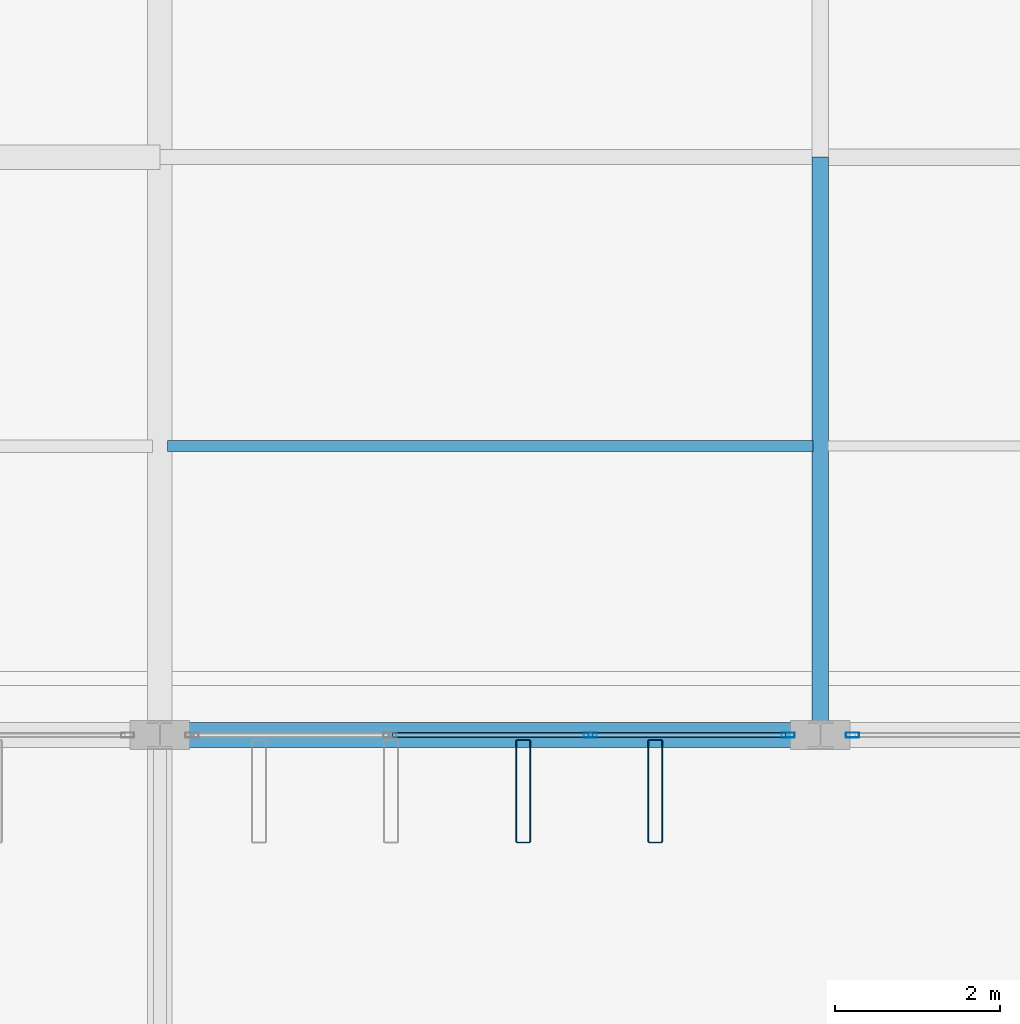
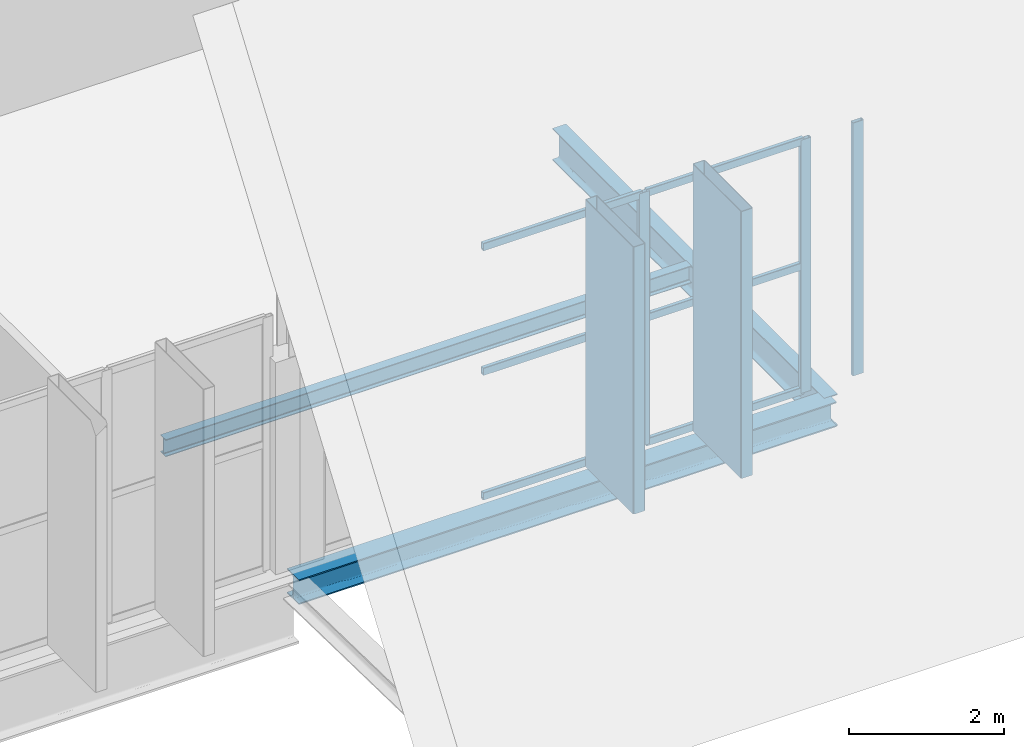
# One storey, part 30 of 93: 11 members, 3 beams, 2 elements without a shape of their own.
"""IFC4 building model written with IfcOpenShell, lengths in metres."""

from ifc_helpers import new_model, si_unit, direction, frame, origin, origin_2d, place, context, subcontext, project, spatial, hollow_rectangle, i_section, extrude, material, layer, layer_set, material_profile, profile_set, type_object, element, aggregate, save


model = new_model("IFC4")

# Units and contexts
model_context = context("Model", 3, precision=1e-05, world=origin(), true_north=direction((0.0, 1.0)))
body_context = subcontext(model_context, "Body", "Model", "MODEL_VIEW")
ifc_project = project(units=[si_unit("LENGTHUNIT", "METRE"), si_unit("AREAUNIT", "SQUARE_METRE"), si_unit("VOLUMEUNIT", "CUBIC_METRE"), si_unit("PLANEANGLEUNIT", "RADIAN"), si_unit("MASSUNIT", "GRAM", prefix="KILO")], contexts=[model_context])

# Site, building, storey
site_placement = place(None, origin())
site = spatial("IfcSite", under=ifc_project, at=site_placement, CompositionType="ELEMENT")
building_placement = place(site_placement, origin())
building = spatial("IfcBuilding", under=site, at=building_placement, Name="Vekula Escarpment Museum", CompositionType="ELEMENT")
storey_placement = place(building_placement, frame((0.0, 0.0, 22.199951171875)))
storey = spatial("IfcBuildingStorey", under=building, at=storey_placement, Name="L05", CompositionType="ELEMENT", Elevation=22.199951171875)

# Beams
ifc_material_1 = material(Name="Steel S355", Category="steel")
ifc_material_profile_1 = material_profile(ifc_material_1, i_section(OverallWidth=0.199951171875, OverallDepth=0.5, WebThickness=0.01025390625, FlangeThickness=0.01611328125, FilletRadius=0.02099609375, at=origin_2d()), Name="IPE 500")
ifc_profile_set_1 = profile_set([ifc_material_profile_1], Name="Steel S355")
beam_type_1 = type_object("IfcBeamType", Name="BM-GIRD-IPE500", PredefinedType="BEAM", material=ifc_profile_set_1)
beam_1_placement = place(storey_placement, frame((94.0, 45.60009765625, -0.469970703125), z_axis=(0.0, 1.0, 0.0), x_axis=(-1.0, 0.0, 0.0)))
element("IfcBeam", 1, at=beam_1_placement, inside=storey, type_object=beam_type_1, Name="Beam Y L05 2134", PredefinedType="BEAM", context=body_context, shape_type="SweptSolid", body=[
    extrude(i_section(OverallWidth=0.199951171875, OverallDepth=0.5, WebThickness=0.01025390625, FlangeThickness=0.01611328125, FilletRadius=0.02099609375, at=origin_2d()), origin(), (0.0, 0.0, 1.0), 7.0),
])
ifc_material_2 = material(Name="Steel S355", Category="steel")
ifc_material_profile_2 = material_profile(ifc_material_2, i_section(OverallWidth=0.135009765625, OverallDepth=0.27001953125, WebThickness=0.006591796875, FlangeThickness=0.01025390625, FilletRadius=0.014892578125, at=origin_2d()), Name="IPE 270")
ifc_profile_set_2 = profile_set([ifc_material_profile_2], Name="Steel S355")
beam_type_2 = type_object("IfcBeamType", Name="BM-JST-IPE270", PredefinedType="JOIST", material=ifc_profile_set_2)
beam_2_placement = place(storey_placement, frame((86.090087890625, 49.10009765625, -0.35498046875), z_axis=(1.0, 0.0, 0.0), x_axis=(0.0, 1.0, 0.0)))
element("IfcBeam", 2, at=beam_2_placement, inside=storey, type_object=beam_type_2, Name="Secondary Joist L05 1355", PredefinedType="JOIST", context=body_context, shape_type="SweptSolid", body=[
    extrude(i_section(OverallWidth=0.135009765625, OverallDepth=0.27001953125, WebThickness=0.006591796875, FlangeThickness=0.01025390625, FilletRadius=0.014892578125, at=origin_2d()), origin(), (0.0, 0.0, 1.0), 7.81982421875),
])
ifc_material_3 = material(Name="Steel S355", Category="steel")
ifc_material_profile_3 = material_profile(ifc_material_3, i_section(OverallWidth=0.300048828125, OverallDepth=0.389892578125, WebThickness=0.010986328125, FlangeThickness=0.01904296875, FilletRadius=0.027099609375, at=origin_2d()), Name="HEA 400")
ifc_profile_set_3 = profile_set([ifc_material_profile_3], Name="Steel S355")
beam_type_3 = type_object("IfcBeamType", Name="BM-SPAN-HEA400", PredefinedType="SPANDREL", material=ifc_profile_set_3)
beam_3_placement = place(storey_placement, frame((86.0, 45.60009765625, -0.4150390625), z_axis=(1.0, 0.0, 0.0), x_axis=(0.0, 1.0, 0.0)))
element("IfcBeam", 3, at=beam_3_placement, inside=storey, type_object=beam_type_3, Name="Beam X L05 1958", PredefinedType="SPANDREL", context=body_context, shape_type="SweptSolid", body=[
    extrude(i_section(OverallWidth=0.300048828125, OverallDepth=0.389892578125, WebThickness=0.010986328125, FlangeThickness=0.01904296875, FilletRadius=0.027099609375, at=origin_2d()), origin(), (0.0, 0.0, 1.0), 8.0),
])

# Curtain wall, members
ifc_material_4 = material(Name="Aluminium thermally broken framing", Category="aluminium")
ifc_layer_1 = layer(ifc_material_4, 0.159912109375)
ifc_layer_set_1 = layer_set([ifc_layer_1], Name="Aluminium thermally broken framing")
curtain_wall_type_1 = type_object("IfcCurtainWallType", Name="CW-SYS-05", PredefinedType="NOTDEFINED", material=ifc_layer_set_1)
curtain_wall_1_placement = place(storey_placement, origin())
curtain_wall_1 = element("IfcCurtainWall", 4, at=curtain_wall_1_placement, inside=storey, type_object=curtain_wall_type_1, Name="Curtain Wall CW-L05-165", PredefinedType="NOTDEFINED")
ifc_material_5 = material(Name="Aluminium anodized mullion", Category="aluminium")
ifc_material_profile_4 = material_profile(ifc_material_5, hollow_rectangle(XDim=0.06005859375, YDim=0.159912109375, WallThickness=0.00390625, InnerFilletRadius=0.00390625, OuterFilletRadius=0.008056640625, at=origin_2d()), Name="ALU 160x60x4")
ifc_profile_set_4 = profile_set([ifc_material_profile_4], Name="Aluminium anodized mullion")
member_type_1 = type_object("IfcMemberType", Name="CW-MUL-160", PredefinedType="MULLION", material=ifc_profile_set_4)
member_1_placement = place(storey_placement, frame((91.21337890625, 45.60009765625, 0.0), z_axis=(0.0, 0.0, 1.0), x_axis=(0.0, 1.0, 0.0)))
member_1 = element("IfcMember", 5, at=member_1_placement, type_object=member_type_1, Name="CW-05 mullion 3", PredefinedType="MULLION", context=body_context, shape_type="SweptSolid", body=[
    extrude(hollow_rectangle(XDim=0.06005859375, YDim=0.159912109375, WallThickness=0.00390625, InnerFilletRadius=0.00390625, OuterFilletRadius=0.008056640625, at=origin_2d()), origin(), (0.0, 0.0, 1.0), 3.97998046875),
])
member_2_placement = place(storey_placement, frame((93.610107421875, 45.60009765625, 0.0), z_axis=(0.0, 0.0, 1.0), x_axis=(0.0, 1.0, 0.0)))
member_2 = element("IfcMember", 6, at=member_2_placement, type_object=member_type_1, Name="CW-05 mullion 4", PredefinedType="MULLION", context=body_context, shape_type="SweptSolid", body=[
    extrude(hollow_rectangle(XDim=0.06005859375, YDim=0.159912109375, WallThickness=0.00390625, InnerFilletRadius=0.00390625, OuterFilletRadius=0.008056640625, at=origin_2d()), origin(), (0.0, 0.0, 1.0), 3.97998046875),
])

# Curtain wall, member
ifc_material_6 = material(Name="Aluminium thermally broken framing", Category="aluminium")
ifc_layer_2 = layer(ifc_material_6, 0.139892578125)
ifc_layer_set_2 = layer_set([ifc_layer_2], Name="Aluminium thermally broken framing")
curtain_wall_type_2 = type_object("IfcCurtainWallType", Name="CW-SYS-06", PredefinedType="NOTDEFINED", material=ifc_layer_set_2)
curtain_wall_2_placement = place(storey_placement, origin())
curtain_wall_2 = element("IfcCurtainWall", 7, at=curtain_wall_2_placement, inside=storey, type_object=curtain_wall_type_2, Name="Curtain Wall CW-L05-166", PredefinedType="NOTDEFINED")
member_3_placement = place(storey_placement, frame((94.389892578125, 45.60009765625, 0.0), z_axis=(0.0, 0.0, 1.0), x_axis=(0.0, 1.0, 0.0)))
member_3 = element("IfcMember", 8, at=member_3_placement, type_object=member_type_1, Name="CW-06 mullion 1", PredefinedType="MULLION", context=body_context, shape_type="SweptSolid", body=[
    extrude(hollow_rectangle(XDim=0.06005859375, YDim=0.159912109375, WallThickness=0.00390625, InnerFilletRadius=0.00390625, OuterFilletRadius=0.008056640625, at=origin_2d()), origin(), (0.0, 0.0, 1.0), 3.97998046875),
])
aggregate(curtain_wall_2, [member_3])

# Member
ifc_material_7 = material(Name="Aluminium anodized transom", Category="aluminium")
ifc_material_profile_5 = material_profile(ifc_material_7, hollow_rectangle(XDim=0.06005859375, YDim=0.1201171875, WallThickness=0.00390625, InnerFilletRadius=0.00390625, OuterFilletRadius=0.008056640625, at=origin_2d()), Name="ALU 120x60x4")
ifc_profile_set_5 = profile_set([ifc_material_profile_5], Name="Aluminium anodized transom")
member_type_2 = type_object("IfcMemberType", Name="CW-TRN-120", PredefinedType="USERDEFINED", material=ifc_profile_set_5)
member_4_placement = place(storey_placement, frame((88.816650390625, 45.60009765625, 0.030029296875), z_axis=(1.0, 0.0, 0.0), x_axis=(0.0, 1.0, 0.0)))
member_4 = element("IfcMember", 9, at=member_4_placement, type_object=member_type_2, Name="CW-05 transom 2.1", ObjectType="TRANSOM", PredefinedType="USERDEFINED", context=body_context, shape_type="SweptSolid", body=[
    extrude(hollow_rectangle(XDim=0.06005859375, YDim=0.1201171875, WallThickness=0.00390625, InnerFilletRadius=0.00390625, OuterFilletRadius=0.008056640625, at=origin_2d()), origin(), (0.0, 0.0, 1.0), 2.36669921875),
])

member_5_placement = place(storey_placement, frame((88.816650390625, 45.60009765625, 1.989990234375), z_axis=(1.0, 0.0, 0.0), x_axis=(0.0, 1.0, 0.0)))
member_5 = element("IfcMember", 10, at=member_5_placement, type_object=member_type_2, Name="CW-05 transom 2.2", ObjectType="TRANSOM", PredefinedType="USERDEFINED", context=body_context, shape_type="SweptSolid", body=[
    extrude(hollow_rectangle(XDim=0.06005859375, YDim=0.1201171875, WallThickness=0.00390625, InnerFilletRadius=0.00390625, OuterFilletRadius=0.008056640625, at=origin_2d()), origin(), (0.0, 0.0, 1.0), 2.36669921875),
])

member_6_placement = place(storey_placement, frame((88.816650390625, 45.60009765625, 3.949951171875), z_axis=(1.0, 0.0, 0.0), x_axis=(0.0, 1.0, 0.0)))
member_6 = element("IfcMember", 11, at=member_6_placement, type_object=member_type_2, Name="CW-05 transom 2.3", ObjectType="TRANSOM", PredefinedType="USERDEFINED", context=body_context, shape_type="SweptSolid", body=[
    extrude(hollow_rectangle(XDim=0.06005859375, YDim=0.1201171875, WallThickness=0.00390625, InnerFilletRadius=0.00390625, OuterFilletRadius=0.008056640625, at=origin_2d()), origin(), (0.0, 0.0, 1.0), 2.36669921875),
])

member_7_placement = place(storey_placement, frame((91.243408203125, 45.60009765625, 0.030029296875), z_axis=(1.0, 0.0, 0.0), x_axis=(0.0, 1.0, 0.0)))
member_7 = element("IfcMember", 12, at=member_7_placement, type_object=member_type_2, Name="CW-05 transom 3.1", ObjectType="TRANSOM", PredefinedType="USERDEFINED", context=body_context, shape_type="SweptSolid", body=[
    extrude(hollow_rectangle(XDim=0.06005859375, YDim=0.1201171875, WallThickness=0.00390625, InnerFilletRadius=0.00390625, OuterFilletRadius=0.008056640625, at=origin_2d()), origin(), (0.0, 0.0, 1.0), 2.336669921875),
])

member_8_placement = place(storey_placement, frame((91.243408203125, 45.60009765625, 1.989990234375), z_axis=(1.0, 0.0, 0.0), x_axis=(0.0, 1.0, 0.0)))
member_8 = element("IfcMember", 13, at=member_8_placement, type_object=member_type_2, Name="CW-05 transom 3.2", ObjectType="TRANSOM", PredefinedType="USERDEFINED", context=body_context, shape_type="SweptSolid", body=[
    extrude(hollow_rectangle(XDim=0.06005859375, YDim=0.1201171875, WallThickness=0.00390625, InnerFilletRadius=0.00390625, OuterFilletRadius=0.008056640625, at=origin_2d()), origin(), (0.0, 0.0, 1.0), 2.336669921875),
])

member_9_placement = place(storey_placement, frame((91.243408203125, 45.60009765625, 3.949951171875), z_axis=(1.0, 0.0, 0.0), x_axis=(0.0, 1.0, 0.0)))
member_9 = element("IfcMember", 14, at=member_9_placement, type_object=member_type_2, Name="CW-05 transom 3.3", ObjectType="TRANSOM", PredefinedType="USERDEFINED", context=body_context, shape_type="SweptSolid", body=[
    extrude(hollow_rectangle(XDim=0.06005859375, YDim=0.1201171875, WallThickness=0.00390625, InnerFilletRadius=0.00390625, OuterFilletRadius=0.008056640625, at=origin_2d()), origin(), (0.0, 0.0, 1.0), 2.336669921875),
])

aggregate(curtain_wall_1, [member_1, member_2, member_4, member_5, member_6, member_7, member_8, member_9])

# Members
ifc_material_8 = material(Name="Steel S355 weathered bronze solar fin", Category="steel")
ifc_material_profile_6 = material_profile(ifc_material_8, hollow_rectangle(XDim=0.179931640625, YDim=1.25, WallThickness=0.010009765625, InnerFilletRadius=0.010009765625, OuterFilletRadius=0.02001953125, at=origin_2d()), Name="RHS 1250x180x10")
ifc_profile_set_6 = profile_set([ifc_material_profile_6], Name="Steel S355 weathered bronze solar fin")
member_type_3 = type_object("IfcMemberType", Name="MB-SOLAR-FIN", PredefinedType="USERDEFINED", material=ifc_profile_set_6)
for number, where, z_axis, x_axis, name in (
    (15, (90.39990234375, 44.919921875, 0.0), (0.0, 0.0, 1.0), (1.0, 0.0, 0.0), "Great Hall Vertical Solar Fin 0060"),
    (16, (92.0, 44.919921875, 0.0), (0.0, 0.0, 1.0), (1.0, 0.0, 0.0), "Great Hall Vertical Solar Fin 0065"),
):
    element("IfcMember", number, at=place(storey_placement, frame(where, z_axis=z_axis, x_axis=x_axis)), inside=storey, type_object=member_type_3, Name=name, ObjectType="SOLAR FIN", PredefinedType="USERDEFINED", context=body_context, shape_type="SweptSolid", body=[
        extrude(hollow_rectangle(XDim=0.179931640625, YDim=1.25, WallThickness=0.010009765625, InnerFilletRadius=0.010009765625, OuterFilletRadius=0.02001953125, at=origin_2d()), origin(), (0.0, 0.0, 1.0), 4.199951171875),
    ])

save(model, "model.ifc")
